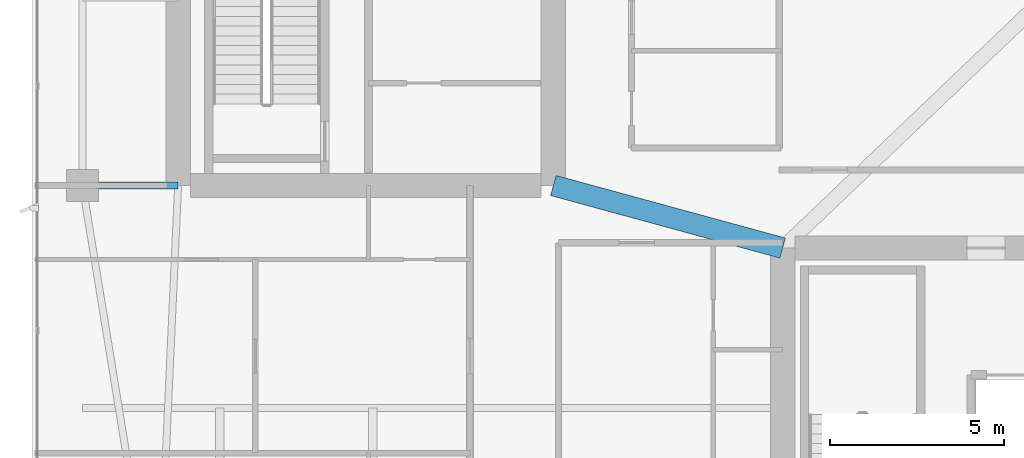
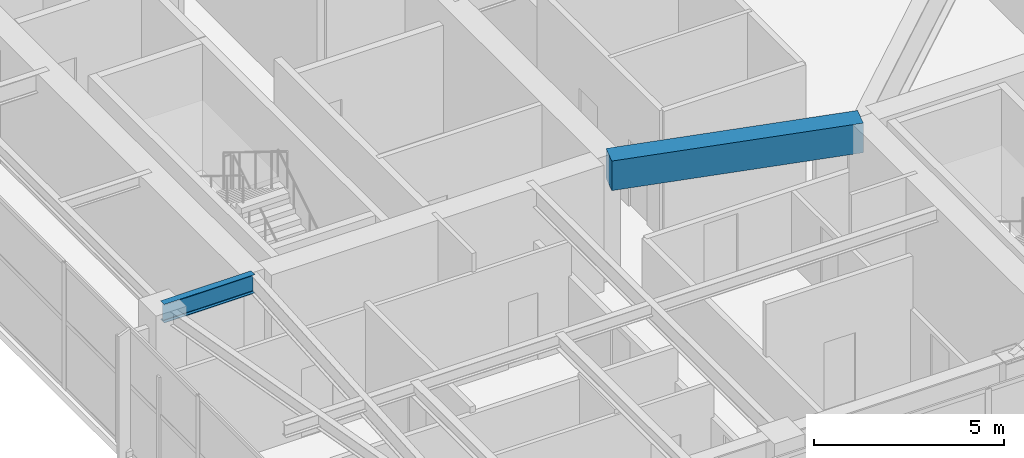
# One storey, part 7 of 29: 2 beams.
"""IFC4 building model written with IfcOpenShell, lengths in metres."""

from ifc_helpers import new_model, si_unit, direction, frame, origin, origin_2d, place, context, subcontext, project, spatial, rectangle, i_section, extrude, material, material_profile, profile_set, type_object, element, save


model = new_model("IFC4")

# Units and contexts
model_context = context("Model", 3, precision=1e-05, world=origin(), true_north=direction((0.0, 1.0)))
body_context = subcontext(model_context, "Body", "Model", "MODEL_VIEW")
ifc_project = project(units=[si_unit("LENGTHUNIT", "METRE"), si_unit("AREAUNIT", "SQUARE_METRE"), si_unit("VOLUMEUNIT", "CUBIC_METRE"), si_unit("PLANEANGLEUNIT", "RADIAN"), si_unit("MASSUNIT", "GRAM", prefix="KILO")], contexts=[model_context])

# Site, building, storey
site_placement = place(None, origin())
site = spatial("IfcSite", under=ifc_project, at=site_placement, CompositionType="ELEMENT")
building_placement = place(site_placement, origin())
building = spatial("IfcBuilding", under=site, at=building_placement, Name="Calvorn Quay Hotel", CompositionType="ELEMENT")
storey_placement = place(building_placement, frame((0.0, 0.0, 214.800048828125)))
storey = spatial("IfcBuildingStorey", under=building, at=storey_placement, Name="L53", CompositionType="ELEMENT", Elevation=214.800048828125)

# Beams
ifc_material_1 = material(Name="Steel Q355B", Category="steel")
ifc_material_profile_1 = material_profile(ifc_material_1, i_section(OverallWidth=0.199951171875, OverallDepth=0.60009765625, WebThickness=0.010986328125, FlangeThickness=0.01708984375, FilletRadius=0.01806640625, at=origin_2d()), Name="HN600x200x11x17")
ifc_profile_set_1 = profile_set([ifc_material_profile_1], Name="Steel Q355B")
beam_type_1 = type_object("IfcBeamType", Name="BM-GIRD-TYP", PredefinedType="BEAM", material=ifc_profile_set_1)
beam_1_placement = place(storey_placement, frame((1.449951171875, 16.800048828125, 3.75), z_axis=(1.0, 0.0, 0.0), x_axis=(0.0, 1.0, 0.0)))
element("IfcBeam", 1, at=beam_1_placement, inside=storey, type_object=beam_type_1, Name="Beam BG-L53-W1", PredefinedType="BEAM", context=body_context, shape_type="SweptSolid", body=[
    extrude(i_section(OverallWidth=0.199951171875, OverallDepth=0.60009765625, WebThickness=0.010986328125, FlangeThickness=0.01708984375, FilletRadius=0.01806640625, at=origin_2d()), origin(), (0.0, 0.0, 1.0), 2.75),
])
ifc_material_2 = material(Name="Concrete C45", Category="concrete")
ifc_material_profile_2 = material_profile(ifc_material_2, rectangle(XDim=0.60009765625, YDim=0.949951171875, at=origin_2d()), Name="RCB600x950")
ifc_profile_set_2 = profile_set([ifc_material_profile_2], Name="Concrete C45")
beam_type_2 = type_object("IfcBeamType", Name="BM-RC-LINK-600x950", PredefinedType="BEAM", material=ifc_profile_set_2)
beam_2_placement = place(storey_placement, frame((15.0, 16.800048828125, 3.574951171875), z_axis=(0.964762997686, -0.263120425462, 0.0), x_axis=(0.263120425462, 0.964762997686, 0.0)))
element("IfcBeam", 2, at=beam_2_placement, inside=storey, type_object=beam_type_2, Name="Beam BCL-L53-01", PredefinedType="BEAM", context=body_context, shape_type="SweptSolid", body=[
    extrude(rectangle(XDim=0.60009765625, YDim=0.949951171875, at=origin_2d()), origin(), (0.0, 0.0, 1.0), 6.841064453125),
])

save(model, "model.ifc")
